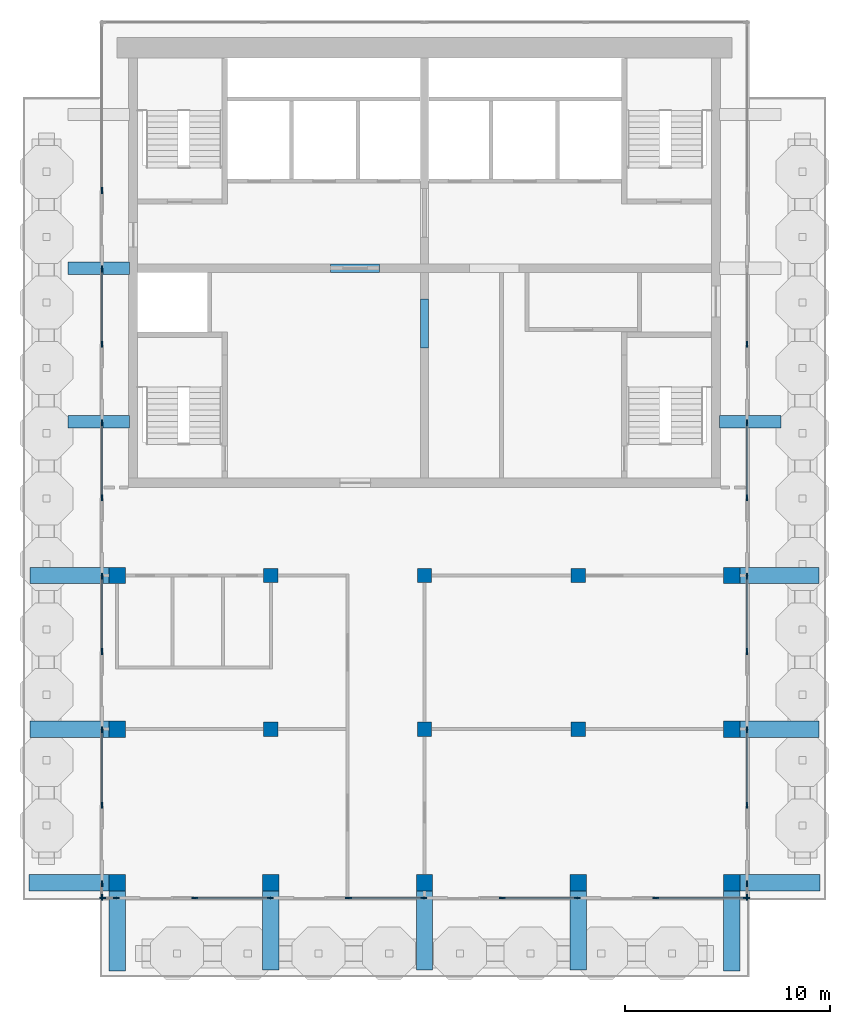
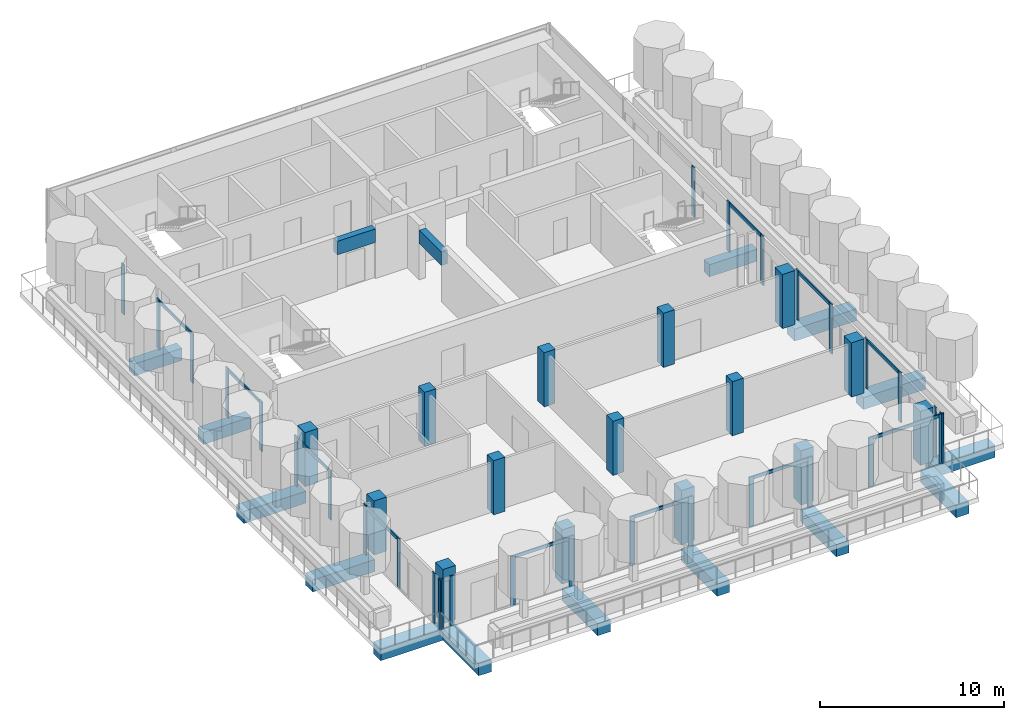
# One storey, part 1 of 10: 41 members, 16 beams, 15 columns, 16 elements without a shape of their own.
"""IFC4 building model written with IfcOpenShell, lengths in metres."""

from ifc_helpers import new_model, si_unit, direction, frame, origin, origin_2d, place, context, subcontext, project, spatial, rectangle, extrude, material, material_profile, profile_set, type_object, element, aggregate, save


model = new_model("IFC4")

# Units and contexts
model_context = context("Model", 3, precision=1e-05, world=origin(), true_north=direction((0.0, 1.0)))
body_context = subcontext(model_context, "Body", "Model", "MODEL_VIEW")
ifc_project = project(units=[si_unit("LENGTHUNIT", "METRE"), si_unit("AREAUNIT", "SQUARE_METRE"), si_unit("VOLUMEUNIT", "CUBIC_METRE"), si_unit("PLANEANGLEUNIT", "RADIAN"), si_unit("MASSUNIT", "GRAM", prefix="KILO")], contexts=[model_context])

# Site, building, storey
site_placement = place(None, origin())
site = spatial("IfcSite", under=ifc_project, at=site_placement, CompositionType="ELEMENT")
building_placement = place(site_placement, origin())
building = spatial("IfcBuilding", under=site, at=building_placement, Name="Pilkhan Gate Tower", CompositionType="ELEMENT")
storey_placement = place(building_placement, frame((0.0, 0.0, 272.89990234375)))
storey = spatial("IfcBuildingStorey", under=building, at=storey_placement, Name="L71", CompositionType="ELEMENT", Elevation=272.89990234375)

# Columns
ifc_material_1 = material(Name="Concrete C40/50", Category="concrete")
ifc_material_profile_1 = material_profile(ifc_material_1, rectangle(XDim=0.699951171875, YDim=0.699951171875, at=origin_2d()), Name="RC 700x700")
ifc_profile_set_1 = profile_set([ifc_material_profile_1], Name="Concrete C40/50")
column_type_1 = type_object("IfcColumnType", Name="Column C70 RC 700x700 C40/50", PredefinedType="COLUMN", material=ifc_profile_set_1)
for number, where, z_axis, x_axis, name in (
    (1, (67.5, 60.0, 0.0), (0.0, 0.0, 1.0), (1.0, 0.0, 0.0), "Column 9/F L71"),
    (2, (67.5, 67.5, 0.0), (0.0, 0.0, 1.0), (1.0, 0.0, 0.0), "Column 9/H L71"),
    (3, (75.0, 60.0, 0.0), (0.0, 0.0, 1.0), (1.0, 0.0, 0.0), "Column 11/F L71"),
    (4, (75.0, 67.5, 0.0), (0.0, 0.0, 1.0), (1.0, 0.0, 0.0), "Column 11/H L71"),
    (5, (82.5, 60.0, 0.0), (0.0, 0.0, 1.0), (1.0, 0.0, 0.0), "Column 13/F L71"),
    (6, (82.5, 67.5, 0.0), (0.0, 0.0, 1.0), (1.0, 0.0, 0.0), "Column 13/H L71"),
):
    element("IfcColumn", number, at=place(storey_placement, frame(where, z_axis=z_axis, x_axis=x_axis)), inside=storey, type_object=column_type_1, Name=name, PredefinedType="COLUMN", context=body_context, shape_type="SweptSolid", body=[
        extrude(rectangle(XDim=0.699951171875, YDim=0.699951171875, at=origin_2d()), origin(), (0.0, 0.0, 1.0), 3.60009765625),
    ])
ifc_material_profile_2 = material_profile(ifc_material_1, rectangle(XDim=0.800048828125, YDim=0.800048828125, at=origin_2d()), Name="RC 800x800")
ifc_profile_set_2 = profile_set([ifc_material_profile_2], Name="Concrete C40/50")
column_type_2 = type_object("IfcColumnType", Name="Column C80 RC 800x800 C40/50", PredefinedType="COLUMN", material=ifc_profile_set_2)
for number, where, z_axis, x_axis, name in (
    (7, (60.0, 52.5, 0.0), (0.0, 0.0, 1.0), (1.0, 0.0, 0.0), "Column 7/D L71"),
    (8, (60.0, 60.0, 0.0), (0.0, 0.0, 1.0), (1.0, 0.0, 0.0), "Column 7/F L71"),
    (9, (60.0, 67.5, 0.0), (0.0, 0.0, 1.0), (1.0, 0.0, 0.0), "Column 7/H L71"),
    (10, (67.5, 52.5, 0.0), (0.0, 0.0, 1.0), (1.0, 0.0, 0.0), "Column 9/D L71"),
    (11, (75.0, 52.5, 0.0), (0.0, 0.0, 1.0), (1.0, 0.0, 0.0), "Column 11/D L71"),
    (12, (82.5, 52.5, 0.0), (0.0, 0.0, 1.0), (1.0, 0.0, 0.0), "Column 13/D L71"),
    (13, (90.0, 52.5, 0.0), (0.0, 0.0, 1.0), (1.0, 0.0, 0.0), "Column 15/D L71"),
    (14, (90.0, 60.0, 0.0), (0.0, 0.0, 1.0), (1.0, 0.0, 0.0), "Column 15/F L71"),
    (15, (90.0, 67.5, 0.0), (0.0, 0.0, 1.0), (1.0, 0.0, 0.0), "Column 15/H L71"),
):
    element("IfcColumn", number, at=place(storey_placement, frame(where, z_axis=z_axis, x_axis=x_axis)), inside=storey, type_object=column_type_2, Name=name, PredefinedType="COLUMN", context=body_context, shape_type="SweptSolid", body=[
        extrude(rectangle(XDim=0.800048828125, YDim=0.800048828125, at=origin_2d()), origin(), (0.0, 0.0, 1.0), 3.60009765625),
    ])

# Beams
ifc_material_2 = material(Name="Concrete C50/60", Category="concrete")
ifc_material_profile_3 = material_profile(ifc_material_2, rectangle(XDim=0.60009765625, YDim=0.800048828125, at=origin_2d()), Name="RC 600x800")
ifc_profile_set_3 = profile_set([ifc_material_profile_3], Name="Concrete C50/60")
beam_type_1 = type_object("IfcBeamType", Name="Cantilever beam CB1 RC 600x800 C50/60", PredefinedType="BEAM", material=ifc_profile_set_3)
for number, where, z_axis, x_axis, name in (
    (16, (89.39990234375, 75.0, -0.699951171875), (1.0, 0.0, 0.0), (0.0, 1.0, 0.0), "Crown cantilever beam E9 L71"),
    (17, (60.60009765625, 75.0, -0.699951171875), (-1.0, 0.0, 0.0), (0.0, -1.0, 0.0), "Crown cantilever beam W15 L71"),
    (18, (60.60009765625, 82.5, -0.699951171875), (-1.0, 0.0, 0.0), (0.0, -1.0, 0.0), "Crown cantilever beam W16 L71"),
):
    element("IfcBeam", number, at=place(storey_placement, frame(where, z_axis=z_axis, x_axis=x_axis)), inside=storey, type_object=beam_type_1, Name=name, PredefinedType="BEAM", context=body_context, shape_type="SweptSolid", body=[
        extrude(rectangle(XDim=0.60009765625, YDim=0.800048828125, at=origin_2d()), origin(), (0.0, 0.0, 1.0), 3.0),
    ])
ifc_material_profile_4 = material_profile(ifc_material_2, rectangle(XDim=0.800048828125, YDim=0.800048828125, at=origin_2d()), Name="RC 800x800")
ifc_profile_set_4 = profile_set([ifc_material_profile_4], Name="Concrete C50/60")
beam_type_2 = type_object("IfcBeamType", Name="Cantilever beam CB2 RC 800x800 C50/60", PredefinedType="BEAM", material=ifc_profile_set_4)
beam_1_placement = place(storey_placement, frame((60.0, 52.10009765625, -0.699951171875), z_axis=(0.0, -1.0, 0.0), x_axis=(1.0, 0.0, 0.0)))
element("IfcBeam", 19, at=beam_1_placement, inside=storey, type_object=beam_type_2, Name="Crown cantilever beam S1 L71", PredefinedType="BEAM", context=body_context, shape_type="SweptSolid", body=[
    extrude(rectangle(XDim=0.800048828125, YDim=0.800048828125, at=origin_2d()), origin(), (0.0, 0.0, 1.0), 3.900146484375),
])
for number, where, z_axis, x_axis, name in (
    (20, (67.5, 52.14990234375, -0.699951171875), (0.0, -1.0, 0.0), (1.0, 0.0, 0.0), "Crown cantilever beam S2 L71"),
    (21, (75.0, 52.14990234375, -0.699951171875), (0.0, -1.0, 0.0), (1.0, 0.0, 0.0), "Crown cantilever beam S3 L71"),
    (22, (82.5, 52.14990234375, -0.699951171875), (0.0, -1.0, 0.0), (1.0, 0.0, 0.0), "Crown cantilever beam S4 L71"),
):
    element("IfcBeam", number, at=place(storey_placement, frame(where, z_axis=z_axis, x_axis=x_axis)), inside=storey, type_object=beam_type_2, Name=name, PredefinedType="BEAM", context=body_context, shape_type="SweptSolid", body=[
        extrude(rectangle(XDim=0.800048828125, YDim=0.800048828125, at=origin_2d()), origin(), (0.0, 0.0, 1.0), 3.89990234375),
    ])
for number, where, z_axis, x_axis, name in (
    (23, (90.0, 52.10009765625, -0.699951171875), (0.0, -1.0, 0.0), (1.0, 0.0, 0.0), "Crown cantilever beam S5 L71"),
    (24, (90.39990234375, 52.5, -0.699951171875), (1.0, 0.0, 0.0), (0.0, 1.0, 0.0), "Crown cantilever beam E6 L71"),
):
    element("IfcBeam", number, at=place(storey_placement, frame(where, z_axis=z_axis, x_axis=x_axis)), inside=storey, type_object=beam_type_2, Name=name, PredefinedType="BEAM", context=body_context, shape_type="SweptSolid", body=[
        extrude(rectangle(XDim=0.800048828125, YDim=0.800048828125, at=origin_2d()), origin(), (0.0, 0.0, 1.0), 3.900146484375),
    ])
for number, where, z_axis, x_axis, name in (
    (25, (90.35009765625, 60.0, -0.699951171875), (1.0, 0.0, 0.0), (0.0, 1.0, 0.0), "Crown cantilever beam E7 L71"),
    (26, (90.35009765625, 67.5, -0.699951171875), (1.0, 0.0, 0.0), (0.0, 1.0, 0.0), "Crown cantilever beam E8 L71"),
):
    element("IfcBeam", number, at=place(storey_placement, frame(where, z_axis=z_axis, x_axis=x_axis)), inside=storey, type_object=beam_type_2, Name=name, PredefinedType="BEAM", context=body_context, shape_type="SweptSolid", body=[
        extrude(rectangle(XDim=0.800048828125, YDim=0.800048828125, at=origin_2d()), origin(), (0.0, 0.0, 1.0), 3.89990234375),
    ])
beam_2_placement = place(storey_placement, frame((59.60009765625, 52.5, -0.699951171875), z_axis=(-1.0, 0.0, 0.0), x_axis=(0.0, -1.0, 0.0)))
element("IfcBeam", 27, at=beam_2_placement, inside=storey, type_object=beam_type_2, Name="Crown cantilever beam W12 L71", PredefinedType="BEAM", context=body_context, shape_type="SweptSolid", body=[
    extrude(rectangle(XDim=0.800048828125, YDim=0.800048828125, at=origin_2d()), origin(), (0.0, 0.0, 1.0), 3.900146484375),
])
for number, where, z_axis, x_axis, name in (
    (28, (59.64990234375, 60.0, -0.699951171875), (-1.0, 0.0, 0.0), (0.0, -1.0, 0.0), "Crown cantilever beam W13 L71"),
    (29, (59.64990234375, 67.5, -0.699951171875), (-1.0, 0.0, 0.0), (0.0, -1.0, 0.0), "Crown cantilever beam W14 L71"),
):
    element("IfcBeam", number, at=place(storey_placement, frame(where, z_axis=z_axis, x_axis=x_axis)), inside=storey, type_object=beam_type_2, Name=name, PredefinedType="BEAM", context=body_context, shape_type="SweptSolid", body=[
        extrude(rectangle(XDim=0.800048828125, YDim=0.800048828125, at=origin_2d()), origin(), (0.0, 0.0, 1.0), 3.89990234375),
    ])
ifc_material_profile_5 = material_profile(ifc_material_2, rectangle(XDim=0.39990234375, YDim=0.89990234375, at=origin_2d()), Name="RC 400x900")
ifc_profile_set_5 = profile_set([ifc_material_profile_5], Name="Concrete C50/60")
beam_type_3 = type_object("IfcBeamType", Name="Coupling beam CB90-4 RC 400x900 C50/60", PredefinedType="LINTEL", material=ifc_profile_set_5)
beam_3_placement = place(storey_placement, frame((70.39990234375, 82.5, 2.85009765625), z_axis=(1.0, 0.0, 0.0), x_axis=(0.0, 1.0, 0.0)))
element("IfcBeam", 30, at=beam_3_placement, inside=storey, type_object=beam_type_3, Name="Coupling beam 1 L71", PredefinedType="LINTEL", context=body_context, shape_type="SweptSolid", body=[
    extrude(rectangle(XDim=0.39990234375, YDim=0.89990234375, at=origin_2d()), origin(), (0.0, 0.0, 1.0), 2.400146484375),
])
beam_4_placement = place(storey_placement, frame((75.0, 78.60009765625, 2.85009765625), z_axis=(0.0, 1.0, 0.0), x_axis=(-1.0, 0.0, 0.0)))
element("IfcBeam", 31, at=beam_4_placement, inside=storey, type_object=beam_type_3, Name="Coupling beam 3 L71", PredefinedType="LINTEL", context=body_context, shape_type="SweptSolid", body=[
    extrude(rectangle(XDim=0.39990234375, YDim=0.89990234375, at=origin_2d()), origin(), (0.0, 0.0, 1.0), 2.39990234375),
])

# Curtain wall, members
ifc_material_3 = material(Name="Pale anodised aluminium, clear low-iron double glazing", Category="aluminium")
curtain_wall_type = type_object("IfcCurtainWallType", Name="Crown unitised curtain wall CW-C", PredefinedType="USERDEFINED", material=ifc_material_3)
curtain_wall_1_placement = place(storey_placement, origin())
curtain_wall_1 = element("IfcCurtainWall", 32, at=curtain_wall_1_placement, inside=storey, type_object=curtain_wall_type, Name="Crown unitised curtain wall CW-C L71 E", ObjectType="UNITISED CURTAIN WALL", PredefinedType="USERDEFINED")
ifc_material_4 = material(Name="Pale anodised aluminium", Category="aluminium")
ifc_material_profile_6 = material_profile(ifc_material_4, rectangle(XDim=0.074951171875, YDim=0.300048828125, at=origin_2d()), Name="Mullion 300x75")
ifc_profile_set_6 = profile_set([ifc_material_profile_6], Name="Pale anodised aluminium")
member_type_1 = type_object("IfcMemberType", Name="Mullion CW-C 300x75", PredefinedType="MULLION", material=ifc_profile_set_6)
member_1_placement = place(storey_placement, frame((90.75, 51.78759765625, 0.0), z_axis=(0.0, 0.0, 1.0), x_axis=(-1.0, 0.0, 0.0)))
member_1 = element("IfcMember", 33, at=member_1_placement, type_object=member_type_1, Name="CW-C mullion 1", PredefinedType="MULLION", context=body_context, shape_type="SweptSolid", body=[
    extrude(rectangle(XDim=0.074951171875, YDim=0.300048828125, at=origin_2d()), origin(), (0.0, 0.0, 1.0), 3.300048828125),
])
member_2_placement = place(storey_placement, frame((90.75, 52.46240234375, 0.0), z_axis=(0.0, 0.0, 1.0), x_axis=(-1.0, 0.0, 0.0)))
member_2 = element("IfcMember", 34, at=member_2_placement, type_object=member_type_1, Name="CW-C mullion 2", PredefinedType="MULLION", context=body_context, shape_type="SweptSolid", body=[
    extrude(rectangle(XDim=0.074951171875, YDim=0.300048828125, at=origin_2d()), origin(), (0.0, 0.0, 1.0), 3.300048828125),
])
aggregate(curtain_wall_1, [member_1, member_2])

curtain_wall_2_placement = place(storey_placement, origin())
curtain_wall_2 = element("IfcCurtainWall", 35, at=curtain_wall_2_placement, inside=storey, type_object=curtain_wall_type, Name="Crown unitised curtain wall CW-C L71 E", ObjectType="UNITISED CURTAIN WALL", PredefinedType="USERDEFINED")
member_3_placement = place(storey_placement, frame((90.75, 56.28759765625, 0.0), z_axis=(0.0, 0.0, 1.0), x_axis=(-1.0, 0.0, 0.0)))
member_3 = element("IfcMember", 36, at=member_3_placement, type_object=member_type_1, Name="CW-C mullion 1", PredefinedType="MULLION", context=body_context, shape_type="SweptSolid", body=[
    extrude(rectangle(XDim=0.074951171875, YDim=0.300048828125, at=origin_2d()), origin(), (0.0, 0.0, 1.0), 3.300048828125),
])
member_4_placement = place(storey_placement, frame((90.75, 59.96240234375, 0.0), z_axis=(0.0, 0.0, 1.0), x_axis=(-1.0, 0.0, 0.0)))
member_4 = element("IfcMember", 37, at=member_4_placement, type_object=member_type_1, Name="CW-C mullion 2", PredefinedType="MULLION", context=body_context, shape_type="SweptSolid", body=[
    extrude(rectangle(XDim=0.074951171875, YDim=0.300048828125, at=origin_2d()), origin(), (0.0, 0.0, 1.0), 3.300048828125),
])

curtain_wall_3_placement = place(storey_placement, origin())
curtain_wall_3 = element("IfcCurtainWall", 38, at=curtain_wall_3_placement, inside=storey, type_object=curtain_wall_type, Name="Crown unitised curtain wall CW-C L71 E", ObjectType="UNITISED CURTAIN WALL", PredefinedType="USERDEFINED")
member_5_placement = place(storey_placement, frame((90.75, 63.78759765625, 0.0), z_axis=(0.0, 0.0, 1.0), x_axis=(-1.0, 0.0, 0.0)))
member_5 = element("IfcMember", 39, at=member_5_placement, type_object=member_type_1, Name="CW-C mullion 1", PredefinedType="MULLION", context=body_context, shape_type="SweptSolid", body=[
    extrude(rectangle(XDim=0.074951171875, YDim=0.300048828125, at=origin_2d()), origin(), (0.0, 0.0, 1.0), 3.300048828125),
])
member_6_placement = place(storey_placement, frame((90.75, 67.46240234375, 0.0), z_axis=(0.0, 0.0, 1.0), x_axis=(-1.0, 0.0, 0.0)))
member_6 = element("IfcMember", 40, at=member_6_placement, type_object=member_type_1, Name="CW-C mullion 2", PredefinedType="MULLION", context=body_context, shape_type="SweptSolid", body=[
    extrude(rectangle(XDim=0.074951171875, YDim=0.300048828125, at=origin_2d()), origin(), (0.0, 0.0, 1.0), 3.300048828125),
])

curtain_wall_4_placement = place(storey_placement, origin())
curtain_wall_4 = element("IfcCurtainWall", 41, at=curtain_wall_4_placement, inside=storey, type_object=curtain_wall_type, Name="Crown unitised curtain wall CW-C L71 E", ObjectType="UNITISED CURTAIN WALL", PredefinedType="USERDEFINED")
member_7_placement = place(storey_placement, frame((90.75, 71.28759765625, 0.0), z_axis=(0.0, 0.0, 1.0), x_axis=(-1.0, 0.0, 0.0)))
member_7 = element("IfcMember", 42, at=member_7_placement, type_object=member_type_1, Name="CW-C mullion 1", PredefinedType="MULLION", context=body_context, shape_type="SweptSolid", body=[
    extrude(rectangle(XDim=0.074951171875, YDim=0.300048828125, at=origin_2d()), origin(), (0.0, 0.0, 1.0), 3.300048828125),
])
member_8_placement = place(storey_placement, frame((90.75, 74.96240234375, 0.0), z_axis=(0.0, 0.0, 1.0), x_axis=(-1.0, 0.0, 0.0)))
member_8 = element("IfcMember", 43, at=member_8_placement, type_object=member_type_1, Name="CW-C mullion 2", PredefinedType="MULLION", context=body_context, shape_type="SweptSolid", body=[
    extrude(rectangle(XDim=0.074951171875, YDim=0.300048828125, at=origin_2d()), origin(), (0.0, 0.0, 1.0), 3.300048828125),
])

# Curtain wall, member
curtain_wall_5_placement = place(storey_placement, origin())
curtain_wall_5 = element("IfcCurtainWall", 44, at=curtain_wall_5_placement, inside=storey, type_object=curtain_wall_type, Name="Crown unitised curtain wall CW-C L71 E", ObjectType="UNITISED CURTAIN WALL", PredefinedType="USERDEFINED")
member_9_placement = place(storey_placement, frame((90.75, 78.78759765625, 0.0), z_axis=(0.0, 0.0, 1.0), x_axis=(-1.0, 0.0, 0.0)))
member_9 = element("IfcMember", 45, at=member_9_placement, type_object=member_type_1, Name="CW-C mullion 1", PredefinedType="MULLION", context=body_context, shape_type="SweptSolid", body=[
    extrude(rectangle(XDim=0.074951171875, YDim=0.300048828125, at=origin_2d()), origin(), (0.0, 0.0, 1.0), 3.300048828125),
])
aggregate(curtain_wall_5, [member_9])

# Curtain wall, members
curtain_wall_6_placement = place(storey_placement, origin())
curtain_wall_6 = element("IfcCurtainWall", 46, at=curtain_wall_6_placement, inside=storey, type_object=curtain_wall_type, Name="Crown unitised curtain wall CW-C L71 W", ObjectType="UNITISED CURTAIN WALL", PredefinedType="USERDEFINED")
member_10_placement = place(storey_placement, frame((59.25, 51.78759765625, 0.0), z_axis=(0.0, 0.0, 1.0), x_axis=(-1.0, 0.0, 0.0)))
member_10 = element("IfcMember", 47, at=member_10_placement, type_object=member_type_1, Name="CW-C mullion 1", PredefinedType="MULLION", context=body_context, shape_type="SweptSolid", body=[
    extrude(rectangle(XDim=0.074951171875, YDim=0.300048828125, at=origin_2d()), origin(), (0.0, 0.0, 1.0), 3.300048828125),
])
member_11_placement = place(storey_placement, frame((59.25, 52.46240234375, 0.0), z_axis=(0.0, 0.0, 1.0), x_axis=(-1.0, 0.0, 0.0)))
member_11 = element("IfcMember", 48, at=member_11_placement, type_object=member_type_1, Name="CW-C mullion 2", PredefinedType="MULLION", context=body_context, shape_type="SweptSolid", body=[
    extrude(rectangle(XDim=0.074951171875, YDim=0.300048828125, at=origin_2d()), origin(), (0.0, 0.0, 1.0), 3.300048828125),
])
aggregate(curtain_wall_6, [member_10, member_11])

curtain_wall_7_placement = place(storey_placement, origin())
curtain_wall_7 = element("IfcCurtainWall", 49, at=curtain_wall_7_placement, inside=storey, type_object=curtain_wall_type, Name="Crown unitised curtain wall CW-C L71 W", ObjectType="UNITISED CURTAIN WALL", PredefinedType="USERDEFINED")
member_12_placement = place(storey_placement, frame((59.25, 56.28759765625, 0.0), z_axis=(0.0, 0.0, 1.0), x_axis=(-1.0, 0.0, 0.0)))
member_12 = element("IfcMember", 50, at=member_12_placement, type_object=member_type_1, Name="CW-C mullion 1", PredefinedType="MULLION", context=body_context, shape_type="SweptSolid", body=[
    extrude(rectangle(XDim=0.074951171875, YDim=0.300048828125, at=origin_2d()), origin(), (0.0, 0.0, 1.0), 3.300048828125),
])
member_13_placement = place(storey_placement, frame((59.25, 59.96240234375, 0.0), z_axis=(0.0, 0.0, 1.0), x_axis=(-1.0, 0.0, 0.0)))
member_13 = element("IfcMember", 51, at=member_13_placement, type_object=member_type_1, Name="CW-C mullion 2", PredefinedType="MULLION", context=body_context, shape_type="SweptSolid", body=[
    extrude(rectangle(XDim=0.074951171875, YDim=0.300048828125, at=origin_2d()), origin(), (0.0, 0.0, 1.0), 3.300048828125),
])

curtain_wall_8_placement = place(storey_placement, origin())
curtain_wall_8 = element("IfcCurtainWall", 52, at=curtain_wall_8_placement, inside=storey, type_object=curtain_wall_type, Name="Crown unitised curtain wall CW-C L71 W", ObjectType="UNITISED CURTAIN WALL", PredefinedType="USERDEFINED")
member_14_placement = place(storey_placement, frame((59.25, 63.78759765625, 0.0), z_axis=(0.0, 0.0, 1.0), x_axis=(-1.0, 0.0, 0.0)))
member_14 = element("IfcMember", 53, at=member_14_placement, type_object=member_type_1, Name="CW-C mullion 1", PredefinedType="MULLION", context=body_context, shape_type="SweptSolid", body=[
    extrude(rectangle(XDim=0.074951171875, YDim=0.300048828125, at=origin_2d()), origin(), (0.0, 0.0, 1.0), 3.300048828125),
])
member_15_placement = place(storey_placement, frame((59.25, 67.46240234375, 0.0), z_axis=(0.0, 0.0, 1.0), x_axis=(-1.0, 0.0, 0.0)))
member_15 = element("IfcMember", 54, at=member_15_placement, type_object=member_type_1, Name="CW-C mullion 2", PredefinedType="MULLION", context=body_context, shape_type="SweptSolid", body=[
    extrude(rectangle(XDim=0.074951171875, YDim=0.300048828125, at=origin_2d()), origin(), (0.0, 0.0, 1.0), 3.300048828125),
])

curtain_wall_9_placement = place(storey_placement, origin())
curtain_wall_9 = element("IfcCurtainWall", 55, at=curtain_wall_9_placement, inside=storey, type_object=curtain_wall_type, Name="Crown unitised curtain wall CW-C L71 W", ObjectType="UNITISED CURTAIN WALL", PredefinedType="USERDEFINED")
member_16_placement = place(storey_placement, frame((59.25, 71.28759765625, 0.0), z_axis=(0.0, 0.0, 1.0), x_axis=(-1.0, 0.0, 0.0)))
member_16 = element("IfcMember", 56, at=member_16_placement, type_object=member_type_1, Name="CW-C mullion 1", PredefinedType="MULLION", context=body_context, shape_type="SweptSolid", body=[
    extrude(rectangle(XDim=0.074951171875, YDim=0.300048828125, at=origin_2d()), origin(), (0.0, 0.0, 1.0), 3.300048828125),
])
member_17_placement = place(storey_placement, frame((59.25, 74.96240234375, 0.0), z_axis=(0.0, 0.0, 1.0), x_axis=(-1.0, 0.0, 0.0)))
member_17 = element("IfcMember", 57, at=member_17_placement, type_object=member_type_1, Name="CW-C mullion 2", PredefinedType="MULLION", context=body_context, shape_type="SweptSolid", body=[
    extrude(rectangle(XDim=0.074951171875, YDim=0.300048828125, at=origin_2d()), origin(), (0.0, 0.0, 1.0), 3.300048828125),
])

curtain_wall_10_placement = place(storey_placement, origin())
curtain_wall_10 = element("IfcCurtainWall", 58, at=curtain_wall_10_placement, inside=storey, type_object=curtain_wall_type, Name="Crown unitised curtain wall CW-C L71 W", ObjectType="UNITISED CURTAIN WALL", PredefinedType="USERDEFINED")
member_18_placement = place(storey_placement, frame((59.25, 78.78759765625, 0.0), z_axis=(0.0, 0.0, 1.0), x_axis=(-1.0, 0.0, 0.0)))
member_18 = element("IfcMember", 59, at=member_18_placement, type_object=member_type_1, Name="CW-C mullion 1", PredefinedType="MULLION", context=body_context, shape_type="SweptSolid", body=[
    extrude(rectangle(XDim=0.074951171875, YDim=0.300048828125, at=origin_2d()), origin(), (0.0, 0.0, 1.0), 3.300048828125),
])
member_19_placement = place(storey_placement, frame((59.25, 82.46240234375, 0.0), z_axis=(0.0, 0.0, 1.0), x_axis=(-1.0, 0.0, 0.0)))
member_19 = element("IfcMember", 60, at=member_19_placement, type_object=member_type_1, Name="CW-C mullion 2", PredefinedType="MULLION", context=body_context, shape_type="SweptSolid", body=[
    extrude(rectangle(XDim=0.074951171875, YDim=0.300048828125, at=origin_2d()), origin(), (0.0, 0.0, 1.0), 3.300048828125),
])

# Curtain wall, member
curtain_wall_11_placement = place(storey_placement, origin())
curtain_wall_11 = element("IfcCurtainWall", 61, at=curtain_wall_11_placement, inside=storey, type_object=curtain_wall_type, Name="Crown unitised curtain wall CW-C L71 W", ObjectType="UNITISED CURTAIN WALL", PredefinedType="USERDEFINED")
member_20_placement = place(storey_placement, frame((59.25, 86.28759765625, 0.0), z_axis=(0.0, 0.0, 1.0), x_axis=(-1.0, 0.0, 0.0)))
member_20 = element("IfcMember", 62, at=member_20_placement, type_object=member_type_1, Name="CW-C mullion 1", PredefinedType="MULLION", context=body_context, shape_type="SweptSolid", body=[
    extrude(rectangle(XDim=0.074951171875, YDim=0.300048828125, at=origin_2d()), origin(), (0.0, 0.0, 1.0), 3.300048828125),
])
aggregate(curtain_wall_11, [member_20])

# Curtain wall, members
curtain_wall_12_placement = place(storey_placement, origin())
curtain_wall_12 = element("IfcCurtainWall", 63, at=curtain_wall_12_placement, inside=storey, type_object=curtain_wall_type, Name="Crown unitised curtain wall CW-C L71 S", ObjectType="UNITISED CURTAIN WALL", PredefinedType="USERDEFINED")
member_21_placement = place(storey_placement, frame((59.28759765625, 51.75, 0.0), z_axis=(0.0, 0.0, 1.0), x_axis=(0.0, 1.0, 0.0)))
member_21 = element("IfcMember", 64, at=member_21_placement, type_object=member_type_1, Name="CW-C mullion 1", PredefinedType="MULLION", context=body_context, shape_type="SweptSolid", body=[
    extrude(rectangle(XDim=0.074951171875, YDim=0.300048828125, at=origin_2d()), origin(), (0.0, 0.0, 1.0), 3.300048828125),
])
member_22_placement = place(storey_placement, frame((59.96240234375, 51.75, 0.0), z_axis=(0.0, 0.0, 1.0), x_axis=(0.0, 1.0, 0.0)))
member_22 = element("IfcMember", 65, at=member_22_placement, type_object=member_type_1, Name="CW-C mullion 2", PredefinedType="MULLION", context=body_context, shape_type="SweptSolid", body=[
    extrude(rectangle(XDim=0.074951171875, YDim=0.300048828125, at=origin_2d()), origin(), (0.0, 0.0, 1.0), 3.300048828125),
])
aggregate(curtain_wall_12, [member_21, member_22])

curtain_wall_13_placement = place(storey_placement, origin())
curtain_wall_13 = element("IfcCurtainWall", 66, at=curtain_wall_13_placement, inside=storey, type_object=curtain_wall_type, Name="Crown unitised curtain wall CW-C L71 S", ObjectType="UNITISED CURTAIN WALL", PredefinedType="USERDEFINED")
member_23_placement = place(storey_placement, frame((63.78759765625, 51.75, 0.0), z_axis=(0.0, 0.0, 1.0), x_axis=(0.0, 1.0, 0.0)))
member_23 = element("IfcMember", 67, at=member_23_placement, type_object=member_type_1, Name="CW-C mullion 1", PredefinedType="MULLION", context=body_context, shape_type="SweptSolid", body=[
    extrude(rectangle(XDim=0.074951171875, YDim=0.300048828125, at=origin_2d()), origin(), (0.0, 0.0, 1.0), 3.300048828125),
])
member_24_placement = place(storey_placement, frame((67.46240234375, 51.75, 0.0), z_axis=(0.0, 0.0, 1.0), x_axis=(0.0, 1.0, 0.0)))
member_24 = element("IfcMember", 68, at=member_24_placement, type_object=member_type_1, Name="CW-C mullion 2", PredefinedType="MULLION", context=body_context, shape_type="SweptSolid", body=[
    extrude(rectangle(XDim=0.074951171875, YDim=0.300048828125, at=origin_2d()), origin(), (0.0, 0.0, 1.0), 3.300048828125),
])

curtain_wall_14_placement = place(storey_placement, origin())
curtain_wall_14 = element("IfcCurtainWall", 69, at=curtain_wall_14_placement, inside=storey, type_object=curtain_wall_type, Name="Crown unitised curtain wall CW-C L71 S", ObjectType="UNITISED CURTAIN WALL", PredefinedType="USERDEFINED")
member_25_placement = place(storey_placement, frame((71.28759765625, 51.75, 0.0), z_axis=(0.0, 0.0, 1.0), x_axis=(0.0, 1.0, 0.0)))
member_25 = element("IfcMember", 70, at=member_25_placement, type_object=member_type_1, Name="CW-C mullion 1", PredefinedType="MULLION", context=body_context, shape_type="SweptSolid", body=[
    extrude(rectangle(XDim=0.074951171875, YDim=0.300048828125, at=origin_2d()), origin(), (0.0, 0.0, 1.0), 3.300048828125),
])
member_26_placement = place(storey_placement, frame((74.96240234375, 51.75, 0.0), z_axis=(0.0, 0.0, 1.0), x_axis=(0.0, 1.0, 0.0)))
member_26 = element("IfcMember", 71, at=member_26_placement, type_object=member_type_1, Name="CW-C mullion 2", PredefinedType="MULLION", context=body_context, shape_type="SweptSolid", body=[
    extrude(rectangle(XDim=0.074951171875, YDim=0.300048828125, at=origin_2d()), origin(), (0.0, 0.0, 1.0), 3.300048828125),
])

curtain_wall_15_placement = place(storey_placement, origin())
curtain_wall_15 = element("IfcCurtainWall", 72, at=curtain_wall_15_placement, inside=storey, type_object=curtain_wall_type, Name="Crown unitised curtain wall CW-C L71 S", ObjectType="UNITISED CURTAIN WALL", PredefinedType="USERDEFINED")
member_27_placement = place(storey_placement, frame((78.78759765625, 51.75, 0.0), z_axis=(0.0, 0.0, 1.0), x_axis=(0.0, 1.0, 0.0)))
member_27 = element("IfcMember", 73, at=member_27_placement, type_object=member_type_1, Name="CW-C mullion 1", PredefinedType="MULLION", context=body_context, shape_type="SweptSolid", body=[
    extrude(rectangle(XDim=0.074951171875, YDim=0.300048828125, at=origin_2d()), origin(), (0.0, 0.0, 1.0), 3.300048828125),
])
member_28_placement = place(storey_placement, frame((82.46240234375, 51.75, 0.0), z_axis=(0.0, 0.0, 1.0), x_axis=(0.0, 1.0, 0.0)))
member_28 = element("IfcMember", 74, at=member_28_placement, type_object=member_type_1, Name="CW-C mullion 2", PredefinedType="MULLION", context=body_context, shape_type="SweptSolid", body=[
    extrude(rectangle(XDim=0.074951171875, YDim=0.300048828125, at=origin_2d()), origin(), (0.0, 0.0, 1.0), 3.300048828125),
])

curtain_wall_16_placement = place(storey_placement, origin())
curtain_wall_16 = element("IfcCurtainWall", 75, at=curtain_wall_16_placement, inside=storey, type_object=curtain_wall_type, Name="Crown unitised curtain wall CW-C L71 S", ObjectType="UNITISED CURTAIN WALL", PredefinedType="USERDEFINED")
member_29_placement = place(storey_placement, frame((86.28759765625, 51.75, 0.0), z_axis=(0.0, 0.0, 1.0), x_axis=(0.0, 1.0, 0.0)))
member_29 = element("IfcMember", 76, at=member_29_placement, type_object=member_type_1, Name="CW-C mullion 1", PredefinedType="MULLION", context=body_context, shape_type="SweptSolid", body=[
    extrude(rectangle(XDim=0.074951171875, YDim=0.300048828125, at=origin_2d()), origin(), (0.0, 0.0, 1.0), 3.300048828125),
])
member_30_placement = place(storey_placement, frame((90.71240234375, 51.75, 0.0), z_axis=(0.0, 0.0, 1.0), x_axis=(0.0, 1.0, 0.0)))
member_30 = element("IfcMember", 77, at=member_30_placement, type_object=member_type_1, Name="CW-C mullion 2", PredefinedType="MULLION", context=body_context, shape_type="SweptSolid", body=[
    extrude(rectangle(XDim=0.074951171875, YDim=0.300048828125, at=origin_2d()), origin(), (0.0, 0.0, 1.0), 3.300048828125),
])

# Member
ifc_material_profile_7 = material_profile(ifc_material_4, rectangle(XDim=0.074951171875, YDim=0.219970703125, at=origin_2d()), Name="Transom 220x75")
ifc_profile_set_7 = profile_set([ifc_material_profile_7], Name="Pale anodised aluminium")
member_type_2 = type_object("IfcMemberType", Name="Transom CW-C 220x75", PredefinedType="USERDEFINED", material=ifc_profile_set_7)
member_31_placement = place(storey_placement, frame((90.75, 56.324951171875, 3.190185546875), z_axis=(0.0, 1.0, 0.0), x_axis=(-1.0, 0.0, 0.0)))
member_31 = element("IfcMember", 78, at=member_31_placement, type_object=member_type_2, Name="CW-C transom 1", ObjectType="TRANSOM", PredefinedType="USERDEFINED", context=body_context, shape_type="SweptSolid", body=[
    extrude(rectangle(XDim=0.074951171875, YDim=0.219970703125, at=origin_2d()), origin(), (0.0, 0.0, 1.0), 3.60009765625),
])

aggregate(curtain_wall_2, [member_3, member_4, member_31])

member_32_placement = place(storey_placement, frame((90.75, 63.824951171875, 3.190185546875), z_axis=(0.0, 1.0, 0.0), x_axis=(-1.0, 0.0, 0.0)))
member_32 = element("IfcMember", 79, at=member_32_placement, type_object=member_type_2, Name="CW-C transom 1", ObjectType="TRANSOM", PredefinedType="USERDEFINED", context=body_context, shape_type="SweptSolid", body=[
    extrude(rectangle(XDim=0.074951171875, YDim=0.219970703125, at=origin_2d()), origin(), (0.0, 0.0, 1.0), 3.60009765625),
])

aggregate(curtain_wall_3, [member_5, member_6, member_32])

member_33_placement = place(storey_placement, frame((90.75, 71.324951171875, 3.190185546875), z_axis=(0.0, 1.0, 0.0), x_axis=(-1.0, 0.0, 0.0)))
member_33 = element("IfcMember", 80, at=member_33_placement, type_object=member_type_2, Name="CW-C transom 1", ObjectType="TRANSOM", PredefinedType="USERDEFINED", context=body_context, shape_type="SweptSolid", body=[
    extrude(rectangle(XDim=0.074951171875, YDim=0.219970703125, at=origin_2d()), origin(), (0.0, 0.0, 1.0), 3.60009765625),
])

aggregate(curtain_wall_4, [member_7, member_8, member_33])

member_34_placement = place(storey_placement, frame((59.25, 56.324951171875, 3.190185546875), z_axis=(0.0, 1.0, 0.0), x_axis=(-1.0, 0.0, 0.0)))
member_34 = element("IfcMember", 81, at=member_34_placement, type_object=member_type_2, Name="CW-C transom 1", ObjectType="TRANSOM", PredefinedType="USERDEFINED", context=body_context, shape_type="SweptSolid", body=[
    extrude(rectangle(XDim=0.074951171875, YDim=0.219970703125, at=origin_2d()), origin(), (0.0, 0.0, 1.0), 3.60009765625),
])

aggregate(curtain_wall_7, [member_12, member_13, member_34])

member_35_placement = place(storey_placement, frame((59.25, 63.824951171875, 3.190185546875), z_axis=(0.0, 1.0, 0.0), x_axis=(-1.0, 0.0, 0.0)))
member_35 = element("IfcMember", 82, at=member_35_placement, type_object=member_type_2, Name="CW-C transom 1", ObjectType="TRANSOM", PredefinedType="USERDEFINED", context=body_context, shape_type="SweptSolid", body=[
    extrude(rectangle(XDim=0.074951171875, YDim=0.219970703125, at=origin_2d()), origin(), (0.0, 0.0, 1.0), 3.60009765625),
])

aggregate(curtain_wall_8, [member_14, member_15, member_35])

member_36_placement = place(storey_placement, frame((59.25, 71.324951171875, 3.190185546875), z_axis=(0.0, 1.0, 0.0), x_axis=(-1.0, 0.0, 0.0)))
member_36 = element("IfcMember", 83, at=member_36_placement, type_object=member_type_2, Name="CW-C transom 1", ObjectType="TRANSOM", PredefinedType="USERDEFINED", context=body_context, shape_type="SweptSolid", body=[
    extrude(rectangle(XDim=0.074951171875, YDim=0.219970703125, at=origin_2d()), origin(), (0.0, 0.0, 1.0), 3.60009765625),
])

aggregate(curtain_wall_9, [member_16, member_17, member_36])

member_37_placement = place(storey_placement, frame((59.25, 78.824951171875, 3.190185546875), z_axis=(0.0, 1.0, 0.0), x_axis=(-1.0, 0.0, 0.0)))
member_37 = element("IfcMember", 84, at=member_37_placement, type_object=member_type_2, Name="CW-C transom 1", ObjectType="TRANSOM", PredefinedType="USERDEFINED", context=body_context, shape_type="SweptSolid", body=[
    extrude(rectangle(XDim=0.074951171875, YDim=0.219970703125, at=origin_2d()), origin(), (0.0, 0.0, 1.0), 3.60009765625),
])

aggregate(curtain_wall_10, [member_18, member_19, member_37])

member_38_placement = place(storey_placement, frame((63.824951171875, 51.75, 3.190185546875), z_axis=(1.0, 0.0, 0.0), x_axis=(0.0, 1.0, 0.0)))
member_38 = element("IfcMember", 85, at=member_38_placement, type_object=member_type_2, Name="CW-C transom 1", ObjectType="TRANSOM", PredefinedType="USERDEFINED", context=body_context, shape_type="SweptSolid", body=[
    extrude(rectangle(XDim=0.074951171875, YDim=0.219970703125, at=origin_2d()), origin(), (0.0, 0.0, 1.0), 3.60009765625),
])

aggregate(curtain_wall_13, [member_23, member_24, member_38])

member_39_placement = place(storey_placement, frame((71.324951171875, 51.75, 3.190185546875), z_axis=(1.0, 0.0, 0.0), x_axis=(0.0, 1.0, 0.0)))
member_39 = element("IfcMember", 86, at=member_39_placement, type_object=member_type_2, Name="CW-C transom 1", ObjectType="TRANSOM", PredefinedType="USERDEFINED", context=body_context, shape_type="SweptSolid", body=[
    extrude(rectangle(XDim=0.074951171875, YDim=0.219970703125, at=origin_2d()), origin(), (0.0, 0.0, 1.0), 3.60009765625),
])

aggregate(curtain_wall_14, [member_25, member_26, member_39])

member_40_placement = place(storey_placement, frame((78.824951171875, 51.75, 3.190185546875), z_axis=(1.0, 0.0, 0.0), x_axis=(0.0, 1.0, 0.0)))
member_40 = element("IfcMember", 87, at=member_40_placement, type_object=member_type_2, Name="CW-C transom 1", ObjectType="TRANSOM", PredefinedType="USERDEFINED", context=body_context, shape_type="SweptSolid", body=[
    extrude(rectangle(XDim=0.074951171875, YDim=0.219970703125, at=origin_2d()), origin(), (0.0, 0.0, 1.0), 3.60009765625),
])

aggregate(curtain_wall_15, [member_27, member_28, member_40])

member_41_placement = place(storey_placement, frame((86.324951171875, 51.75, 3.190185546875), z_axis=(1.0, 0.0, 0.0), x_axis=(0.0, 1.0, 0.0)))
member_41 = element("IfcMember", 88, at=member_41_placement, type_object=member_type_2, Name="CW-C transom 1", ObjectType="TRANSOM", PredefinedType="USERDEFINED", context=body_context, shape_type="SweptSolid", body=[
    extrude(rectangle(XDim=0.074951171875, YDim=0.219970703125, at=origin_2d()), origin(), (0.0, 0.0, 1.0), 4.35009765625),
])

aggregate(curtain_wall_16, [member_29, member_30, member_41])

save(model, "model.ifc")
